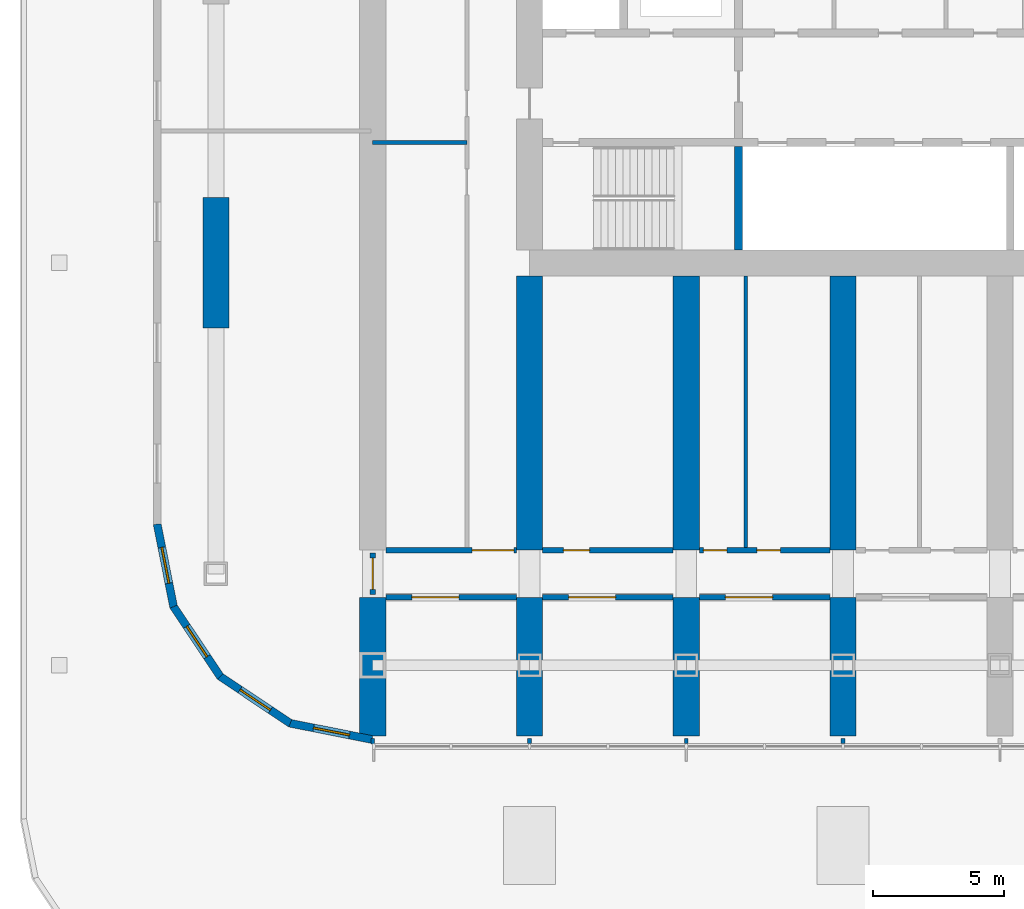
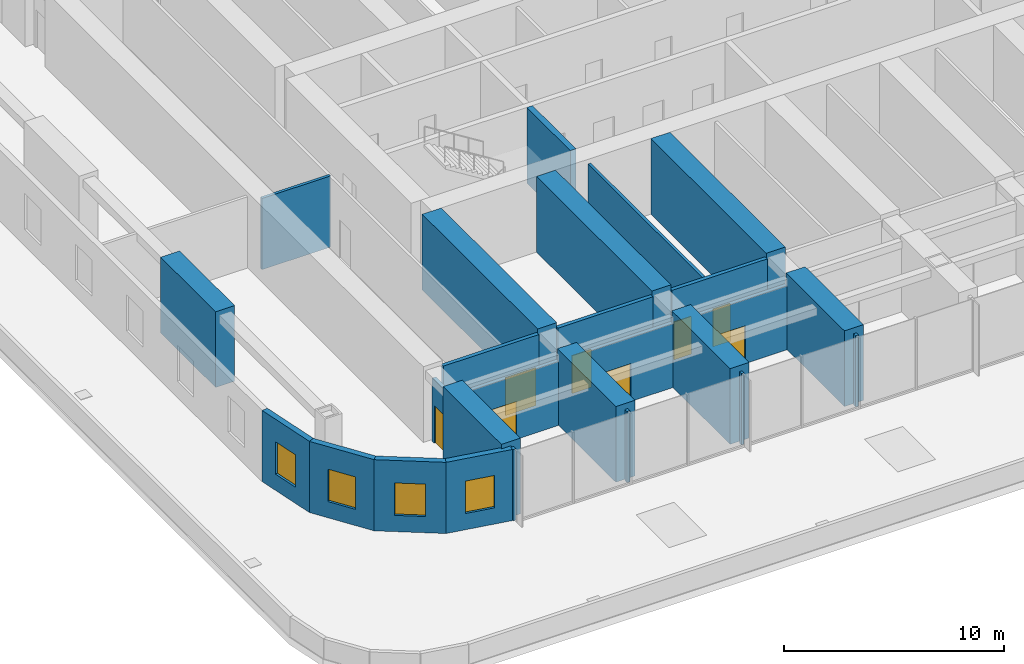
# One storey, part 9 of 23: 26 walls, 8 doors, 4 windows, 12 openings.
"""IFC4 building model written with IfcOpenShell, lengths in metres."""

from ifc_helpers import new_model, si_unit, direction, frame, frame_2d, origin, place, context, subcontext, project, spatial, polyline, rectangle, outline, extrude, material, layer, layer_set, type_object, element, fill, save


model = new_model("IFC4")

# Units and contexts
model_context = context("Model", 3, precision=1e-05, world=origin(), true_north=direction((0.0, 1.0)))
body_context = subcontext(model_context, "Body", "Model", "MODEL_VIEW")
ifc_project = project(units=[si_unit("LENGTHUNIT", "METRE"), si_unit("AREAUNIT", "SQUARE_METRE"), si_unit("VOLUMEUNIT", "CUBIC_METRE"), si_unit("PLANEANGLEUNIT", "RADIAN"), si_unit("MASSUNIT", "GRAM", prefix="KILO")], contexts=[model_context])

# Site, building, storey
site_placement = place(None, origin())
site = spatial("IfcSite", under=ifc_project, at=site_placement, CompositionType="ELEMENT")
building_placement = place(site_placement, origin())
building = spatial("IfcBuilding", under=site, at=building_placement, Name="Orbita Commons", CompositionType="ELEMENT")
storey_placement = place(building_placement, frame((0.0, 0.0, 16.0)))
storey = spatial("IfcBuildingStorey", under=building, at=storey_placement, Name="L03", CompositionType="ELEMENT", Elevation=16.0)

# Wall
ifc_material_1 = material(Name="Concrete C50/60", Category="concrete")
ifc_layer_1 = layer(ifc_material_1, 0.300048828125)
ifc_layer_set_1 = layer_set([ifc_layer_1], Name="Concrete C50/60")
wall_type_1 = type_object("IfcWallType", Name="Core inner wall 300 C50/60", PredefinedType="SHEAR", material=ifc_layer_set_1)
wall_1_placement = place(storey_placement, frame((26.0, 26.300048828125, 0.0), z_axis=(0.0, 0.0, 1.0), x_axis=(0.0, 1.0, 0.0)))
element("IfcWall", 1, at=wall_1_placement, inside=storey, type_object=wall_type_1, Name="Stair S1 wall L03", PredefinedType="SHEAR", context=body_context, shape_type="SweptSolid", body=[
    extrude(rectangle(XDim=3.949951171875, YDim=0.300048828125, at=frame_2d((1.97509765625, 0.0))), origin(), (0.0, 0.0, 1.0), 4.199951171875),
])

# Wall, opening, door
ifc_material_2 = material(Name="Concrete blockwork", Category="masonry")
ifc_layer_2 = layer(ifc_material_2, 0.199951171875)
ifc_layer_set_2 = layer_set([ifc_layer_2], Name="Concrete blockwork")
wall_type_2 = type_object("IfcWallType", Name="Corridor wall 200 blockwork", PredefinedType="SOLIDWALL", material=ifc_layer_set_2)
wall_2_placement = place(storey_placement, frame((12.5, 13.0, 0.0), z_axis=(0.0, 0.0, 1.0), x_axis=(1.0, 0.0, 0.0)))
wall_2 = element("IfcWall", 2, at=wall_2_placement, inside=storey, type_object=wall_type_2, Name="Corridor wall 200 blockwork L03", PredefinedType="SOLIDWALL", context=body_context, shape_type="SweptSolid", body=[
    extrude(outline(polyline([(0.0, 0.0), (5.0, 0.0), (5.0, 3.550048828125), (0.0, 3.550048828125), (0.0, 0.0)])), frame((0.0, 0.10009765625, 0.0), z_axis=(0.0, -1.0, 0.0), x_axis=(1.0, 0.0, 0.0)), (0.0, 0.0, 1.0), 0.199951171875),
])
opening_1_placement = place(wall_2_placement, frame((1.0, 0.0, 0.0)))
opening_1 = element("IfcOpeningElement", 3, at=opening_1_placement, cuts=wall_2, Name="Opening D07", PredefinedType="OPENING", context=body_context, shape_type="SweptSolid", body=[
    extrude(rectangle(XDim=1.800048828125, YDim=2.10009765625, at=frame_2d((0.89990234375, 1.050048828125))), frame((0.0, 0.10986328125, 0.0), z_axis=(0.0, -1.0, 0.0), x_axis=(1.0, 0.0, 0.0)), (0.0, 0.0, 1.0), 0.219970703125),
])
ifc_material_3 = material(Name="Steel-faced fire door leaf", Category="steel")
door_type_1 = type_object("IfcDoorType", Name="Double corridor door 20 min 1800x2100", OperationType="DOUBLE_DOOR_SINGLE_SWING", PredefinedType="DOOR", material=ifc_material_3)
door_1_placement = place(opening_1_placement, origin())
door_1 = element("IfcDoor", 4, at=door_1_placement, inside=storey, type_object=door_type_1, Name="Co-working room L03-SF0 doors", OperationType="DOUBLE_DOOR_SINGLE_SWING", OverallHeight=2.10009765625, OverallWidth=1.800048828125, PredefinedType="DOOR", context=body_context, shape_type="SweptSolid", body=[
    extrude(rectangle(XDim=1.800048828125, YDim=2.10009765625, at=frame_2d((0.89990234375, 1.050048828125))), frame((0.0, 0.02490234375, 0.0), z_axis=(0.0, -1.0, 0.0), x_axis=(1.0, 0.0, 0.0)), (0.0, 0.0, 1.0), 0.050048828125),
])
fill(opening_1, door_1)

wall_3_placement = place(storey_placement, frame((18.5, 13.0, 0.0), z_axis=(0.0, 0.0, 1.0), x_axis=(1.0, 0.0, 0.0)))
wall_3 = element("IfcWall", 5, at=wall_3_placement, inside=storey, type_object=wall_type_2, Name="Corridor wall 200 blockwork L03", PredefinedType="SOLIDWALL", context=body_context, shape_type="SweptSolid", body=[
    extrude(outline(polyline([(0.0, 0.0), (5.0, 0.0), (5.0, 3.550048828125), (0.0, 3.550048828125), (0.0, 0.0)])), frame((0.0, 0.10009765625, 0.0), z_axis=(0.0, -1.0, 0.0), x_axis=(1.0, 0.0, 0.0)), (0.0, 0.0, 1.0), 0.199951171875),
])
opening_2_placement = place(wall_3_placement, frame((1.0, 0.0, 0.0)))
opening_2 = element("IfcOpeningElement", 6, at=opening_2_placement, cuts=wall_3, Name="Opening D07", PredefinedType="OPENING", context=body_context, shape_type="SweptSolid", body=[
    extrude(rectangle(XDim=1.800048828125, YDim=2.10009765625, at=frame_2d((0.89990234375, 1.050048828125))), frame((0.0, 0.10986328125, 0.0), z_axis=(0.0, -1.0, 0.0), x_axis=(1.0, 0.0, 0.0)), (0.0, 0.0, 1.0), 0.219970703125),
])
door_2_placement = place(opening_2_placement, origin())
door_2 = element("IfcDoor", 7, at=door_2_placement, inside=storey, type_object=door_type_1, Name="Residents' kitchen L03-SF1 doors", OperationType="DOUBLE_DOOR_SINGLE_SWING", OverallHeight=2.10009765625, OverallWidth=1.800048828125, PredefinedType="DOOR", context=body_context, shape_type="SweptSolid", body=[
    extrude(rectangle(XDim=1.800048828125, YDim=2.10009765625, at=frame_2d((0.89990234375, 1.050048828125))), frame((0.0, 0.02490234375, 0.0), z_axis=(0.0, -1.0, 0.0), x_axis=(1.0, 0.0, 0.0)), (0.0, 0.0, 1.0), 0.050048828125),
])
fill(opening_2, door_2)

wall_4_placement = place(storey_placement, frame((24.5, 13.0, 0.0), z_axis=(0.0, 0.0, 1.0), x_axis=(1.0, 0.0, 0.0)))
wall_4 = element("IfcWall", 8, at=wall_4_placement, inside=storey, type_object=wall_type_2, Name="Corridor wall 200 blockwork L03", PredefinedType="SOLIDWALL", context=body_context, shape_type="SweptSolid", body=[
    extrude(outline(polyline([(0.0, 0.0), (5.0, 0.0), (5.0, 3.550048828125), (0.0, 3.550048828125), (0.0, 0.0)])), frame((0.0, 0.10009765625, 0.0), z_axis=(0.0, -1.0, 0.0), x_axis=(1.0, 0.0, 0.0)), (0.0, 0.0, 1.0), 0.199951171875),
])
opening_3_placement = place(wall_4_placement, frame((1.0, 0.0, 0.0)))
opening_3 = element("IfcOpeningElement", 9, at=opening_3_placement, cuts=wall_4, Name="Opening D07", PredefinedType="OPENING", context=body_context, shape_type="SweptSolid", body=[
    extrude(rectangle(XDim=1.800048828125, YDim=2.10009765625, at=frame_2d((0.89990234375, 1.050048828125))), frame((0.0, 0.10986328125, 0.0), z_axis=(0.0, -1.0, 0.0), x_axis=(1.0, 0.0, 0.0)), (0.0, 0.0, 1.0), 0.219970703125),
])
door_3_placement = place(opening_3_placement, origin())
door_3 = element("IfcDoor", 10, at=door_3_placement, inside=storey, type_object=door_type_1, Name="Study hall L03-SF2 doors", OperationType="DOUBLE_DOOR_SINGLE_SWING", OverallHeight=2.10009765625, OverallWidth=1.800048828125, PredefinedType="DOOR", context=body_context, shape_type="SweptSolid", body=[
    extrude(rectangle(XDim=1.800048828125, YDim=2.10009765625, at=frame_2d((0.89990234375, 1.050048828125))), frame((0.0, 0.02490234375, 0.0), z_axis=(0.0, -1.0, 0.0), x_axis=(1.0, 0.0, 0.0)), (0.0, 0.0, 1.0), 0.050048828125),
])
fill(opening_3, door_3)

wall_5_placement = place(storey_placement, frame((12.0, 13.10009765625, 0.0), z_axis=(0.0, 0.0, 1.0), x_axis=(0.0, 1.0, 0.0)))
wall_5 = element("IfcWall", 11, at=wall_5_placement, inside=storey, type_object=wall_type_2, Name="Corridor wall 200 blockwork L03", PredefinedType="SOLIDWALL", context=body_context, shape_type="SweptSolid", body=[
    extrude(outline(polyline([(0.0, 0.0), (1.599853515625, 0.0), (1.60009765625, 3.5), (0.0, 3.5), (0.0, 0.0)])), frame((0.0, 0.10009765625, 0.0), z_axis=(0.0, -1.0, 0.0), x_axis=(1.0, 0.0, 0.0)), (0.0, 0.0, 1.0), 0.199951171875),
])
opening_4_placement = place(wall_5_placement, frame((0.199951171875, 0.0, 0.0)))
opening_4 = element("IfcOpeningElement", 12, at=opening_4_placement, cuts=wall_5, Name="Opening D12", PredefinedType="OPENING", context=body_context, shape_type="SweptSolid", body=[
    extrude(rectangle(XDim=1.199951171875, YDim=2.10009765625, at=frame_2d((0.60009765625, 1.050048828125))), frame((0.0, 0.10986328125, 0.0), z_axis=(0.0, -1.0, 0.0), x_axis=(1.0, 0.0, 0.0)), (0.0, 0.0, 1.0), 0.219970703125),
])
ifc_material_4 = material(Name="Steel-faced fire door leaf", Category="steel")
door_type_2 = type_object("IfcDoorType", Name="Double corridor door 20 min 1200x2100", OperationType="DOUBLE_DOOR_SINGLE_SWING", PredefinedType="DOOR", material=ifc_material_4)
door_4_placement = place(opening_4_placement, origin())
door_4 = element("IfcDoor", 13, at=door_4_placement, inside=storey, type_object=door_type_2, Name="Lounge doors", OperationType="DOUBLE_DOOR_SINGLE_SWING", OverallHeight=2.10009765625, OverallWidth=1.199951171875, PredefinedType="DOOR", context=body_context, shape_type="SweptSolid", body=[
    extrude(rectangle(XDim=1.199951171875, YDim=2.10009765625, at=frame_2d((0.60009765625, 1.050048828125))), frame((0.0, 0.02490234375, 0.0), z_axis=(0.0, -1.0, 0.0), x_axis=(1.0, 0.0, 0.0)), (0.0, 0.0, 1.0), 0.050048828125),
])
fill(opening_4, door_4)

ifc_material_5 = material(Name="Hollow concrete block 200", Category="concrete")
ifc_layer_3 = layer(ifc_material_5, 0.199951171875)
ifc_layer_set_3 = layer_set([ifc_layer_3], Name="Hollow concrete block 200")
wall_type_3 = type_object("IfcWallType", Name="Corridor wall 200 hollow concrete block", PredefinedType="SOLIDWALL", material=ifc_layer_set_3)
wall_6_placement = place(storey_placement, frame((12.5, 14.800048828125, 0.0), z_axis=(0.0, 0.0, 1.0), x_axis=(1.0, 0.0, 0.0)))
wall_6 = element("IfcWall", 14, at=wall_6_placement, inside=storey, type_object=wall_type_3, Name="Corridor wall 200 hollow concrete block L03", PredefinedType="SOLIDWALL", context=body_context, shape_type="SweptSolid", body=[
    extrude(rectangle(XDim=5.0, YDim=0.199951171875, at=frame_2d((2.5, 0.0))), origin(), (0.0, 0.0, 1.0), 3.949951171875),
])
opening_5_placement = place(wall_6_placement, frame((3.300048828125, 0.0, 0.0)))
opening_5 = element("IfcOpeningElement", 15, at=opening_5_placement, cuts=wall_6, Name="Opening D10", PredefinedType="OPENING", context=body_context, shape_type="SweptSolid", body=[
    extrude(rectangle(XDim=1.60009765625, YDim=2.10009765625, at=frame_2d((0.800048828125, 1.050048828125))), frame((0.0, 0.10986328125, 0.0), z_axis=(0.0, -1.0, 0.0), x_axis=(1.0, 0.0, 0.0)), (0.0, 0.0, 1.0), 0.219970703125),
])
ifc_material_6 = material(Name="Steel-faced fire door leaf", Category="steel")
door_type_3 = type_object("IfcDoorType", Name="Double corridor door 20 min 1600x2100", OperationType="DOUBLE_DOOR_SINGLE_SWING", PredefinedType="DOOR", material=ifc_material_6)
door_5_placement = place(opening_5_placement, origin())
door_5 = element("IfcDoor", 16, at=door_5_placement, inside=storey, type_object=door_type_3, Name="Cross corridor doors", OperationType="DOUBLE_DOOR_SINGLE_SWING", OverallHeight=2.10009765625, OverallWidth=1.60009765625, PredefinedType="DOOR", context=body_context, shape_type="SweptSolid", body=[
    extrude(rectangle(XDim=1.60009765625, YDim=2.10009765625, at=frame_2d((0.800048828125, 1.050048828125))), frame((0.0, 0.02490234375, 0.0), z_axis=(0.0, -1.0, 0.0), x_axis=(1.0, 0.0, 0.0)), (0.0, 0.0, 1.0), 0.050048828125),
])
fill(opening_5, door_5)

wall_7_placement = place(storey_placement, frame((18.5, 14.800048828125, 0.0), z_axis=(0.0, 0.0, 1.0), x_axis=(1.0, 0.0, 0.0)))
wall_7 = element("IfcWall", 17, at=wall_7_placement, inside=storey, type_object=wall_type_3, Name="Corridor wall 200 hollow concrete block L03", PredefinedType="SOLIDWALL", context=body_context, shape_type="SweptSolid", body=[
    extrude(rectangle(XDim=5.0, YDim=0.199951171875, at=frame_2d((2.5, 0.0))), origin(), (0.0, 0.0, 1.0), 3.949951171875),
])
opening_6_placement = place(wall_7_placement, frame((0.800048828125, 0.0, 0.0)))
opening_6 = element("IfcOpeningElement", 18, at=opening_6_placement, cuts=wall_7, Name="Opening D06", PredefinedType="OPENING", context=body_context, shape_type="SweptSolid", body=[
    extrude(rectangle(XDim=1.0, YDim=2.10009765625, at=frame_2d((0.5, 1.050048828125))), frame((0.0, 0.10986328125, 0.0), z_axis=(0.0, -1.0, 0.0), x_axis=(1.0, 0.0, 0.0)), (0.0, 0.0, 1.0), 0.219970703125),
])
ifc_material_7 = material(Name="Steel-faced fire door leaf", Category="steel")
door_type_4 = type_object("IfcDoorType", Name="Corridor door 20 min 1000x2100", OperationType="SINGLE_SWING_LEFT", PredefinedType="DOOR", material=ifc_material_7)
door_6_placement = place(opening_6_placement, origin())
door_6 = element("IfcDoor", 19, at=door_6_placement, inside=storey, type_object=door_type_4, Name="Electrical and data room L03-BDS18 door", OperationType="SINGLE_SWING_LEFT", OverallHeight=2.10009765625, OverallWidth=1.0, PredefinedType="DOOR", context=body_context, shape_type="SweptSolid", body=[
    extrude(rectangle(XDim=1.0, YDim=2.10009765625, at=frame_2d((0.5, 1.050048828125))), frame((0.0, 0.02490234375, 0.0), z_axis=(0.0, -1.0, 0.0), x_axis=(1.0, 0.0, 0.0)), (0.0, 0.0, 1.0), 0.050048828125),
])
fill(opening_6, door_6)

# Wall, openings, doors
wall_8_placement = place(storey_placement, frame((24.5, 14.800048828125, 0.0), z_axis=(0.0, 0.0, 1.0), x_axis=(1.0, 0.0, 0.0)))
wall_8 = element("IfcWall", 20, at=wall_8_placement, inside=storey, type_object=wall_type_3, Name="Corridor wall 200 hollow concrete block L03", PredefinedType="SOLIDWALL", context=body_context, shape_type="SweptSolid", body=[
    extrude(rectangle(XDim=5.0, YDim=0.199951171875, at=frame_2d((2.5, 0.0))), origin(), (0.0, 0.0, 1.0), 3.949951171875),
])
opening_7_placement = place(wall_8_placement, frame((0.14990234375, 0.0, 0.0)))
opening_7 = element("IfcOpeningElement", 21, at=opening_7_placement, cuts=wall_8, Name="Opening D11", PredefinedType="OPENING", context=body_context, shape_type="SweptSolid", body=[
    extrude(rectangle(XDim=0.89990234375, YDim=2.10009765625, at=frame_2d((0.449951171875, 1.050048828125))), frame((0.0, 0.10986328125, 0.0), z_axis=(0.0, -1.0, 0.0), x_axis=(1.0, 0.0, 0.0)), (0.0, 0.0, 1.0), 0.219970703125),
])
opening_8_placement = place(wall_8_placement, frame((2.199951171875, 0.0, 0.0)))
opening_8 = element("IfcOpeningElement", 22, at=opening_8_placement, cuts=wall_8, Name="Opening D11", PredefinedType="OPENING", context=body_context, shape_type="SweptSolid", body=[
    extrude(rectangle(XDim=0.89990234375, YDim=2.10009765625, at=frame_2d((0.449951171875, 1.050048828125))), frame((0.0, 0.10986328125, 0.0), z_axis=(0.0, -1.0, 0.0), x_axis=(1.0, 0.0, 0.0)), (0.0, 0.0, 1.0), 0.219970703125),
])
ifc_material_8 = material(Name="Steel-faced fire door leaf", Category="steel")
door_type_5 = type_object("IfcDoorType", Name="Corridor door 20 min 900x2100", OperationType="SINGLE_SWING_LEFT", PredefinedType="DOOR", material=ifc_material_8)
door_7_placement = place(opening_7_placement, origin())
door_7 = element("IfcDoor", 23, at=door_7_placement, inside=storey, type_object=door_type_5, Name="Accessible WC and shower room L03-BDS24n door", OperationType="SINGLE_SWING_LEFT", OverallHeight=2.10009765625, OverallWidth=0.89990234375, PredefinedType="DOOR", context=body_context, shape_type="SweptSolid", body=[
    extrude(rectangle(XDim=0.89990234375, YDim=2.10009765625, at=frame_2d((0.449951171875, 1.050048828125))), frame((0.0, 0.02490234375, 0.0), z_axis=(0.0, -1.0, 0.0), x_axis=(1.0, 0.0, 0.0)), (0.0, 0.0, 1.0), 0.050048828125),
])
fill(opening_7, door_7)
door_8_placement = place(opening_8_placement, origin())
door_8 = element("IfcDoor", 24, at=door_8_placement, inside=storey, type_object=door_type_5, Name="Games room L03-BDS24 door", OperationType="SINGLE_SWING_LEFT", OverallHeight=2.10009765625, OverallWidth=0.89990234375, PredefinedType="DOOR", context=body_context, shape_type="SweptSolid", body=[
    extrude(rectangle(XDim=0.89990234375, YDim=2.10009765625, at=frame_2d((0.449951171875, 1.050048828125))), frame((0.0, 0.02490234375, 0.0), z_axis=(0.0, -1.0, 0.0), x_axis=(1.0, 0.0, 0.0)), (0.0, 0.0, 1.0), 0.050048828125),
])
fill(opening_8, door_8)

# Walls
ifc_material_9 = material(Name="Concrete C50/60", Category="concrete")
ifc_layer_4 = layer(ifc_material_9, 1.0)
ifc_layer_set_4 = layer_set([ifc_layer_4], Name="Concrete C50/60")
wall_type_4 = type_object("IfcWallType", Name="Cross wall 1000 C50/60", PredefinedType="SHEAR", material=ifc_layer_set_4)
for number, where, z_axis, x_axis, name in (
    (25, (12.0, 7.699951171875, 0.0), (0.0, 0.0, 1.0), (0.0, 1.0, 0.0), "Cross wall 3 south outer L03"),
    (26, (18.0, 7.699951171875, 0.0), (0.0, 0.0, 1.0), (0.0, 1.0, 0.0), "Cross wall 4 south outer L03"),
):
    element("IfcWall", number, at=place(storey_placement, frame(where, z_axis=z_axis, x_axis=x_axis)), inside=storey, type_object=wall_type_4, Name=name, PredefinedType="SHEAR", context=body_context, shape_type="SweptSolid", body=[
        extrude(rectangle(XDim=5.300048828125, YDim=1.0, at=frame_2d((2.64990234375, 0.0))), origin(), (0.0, 0.0, 1.0), 4.199951171875),
    ])
wall_9_placement = place(storey_placement, frame((18.0, 14.800048828125, 0.0), z_axis=(0.0, 0.0, 1.0), x_axis=(0.0, 1.0, 0.0)))
element("IfcWall", 27, at=wall_9_placement, inside=storey, type_object=wall_type_4, Name="Cross wall 4 south inner L03", PredefinedType="SHEAR", context=body_context, shape_type="SweptSolid", body=[
    extrude(rectangle(XDim=10.5, YDim=1.0, at=frame_2d((5.25, 0.0))), origin(), (0.0, 0.0, 1.0), 4.199951171875),
])
wall_10_placement = place(storey_placement, frame((24.0, 7.699951171875, 0.0), z_axis=(0.0, 0.0, 1.0), x_axis=(0.0, 1.0, 0.0)))
element("IfcWall", 28, at=wall_10_placement, inside=storey, type_object=wall_type_4, Name="Cross wall 5 south outer L03", PredefinedType="SHEAR", context=body_context, shape_type="SweptSolid", body=[
    extrude(rectangle(XDim=5.300048828125, YDim=1.0, at=frame_2d((2.64990234375, 0.0))), origin(), (0.0, 0.0, 1.0), 4.199951171875),
])
wall_11_placement = place(storey_placement, frame((24.0, 14.800048828125, 0.0), z_axis=(0.0, 0.0, 1.0), x_axis=(0.0, 1.0, 0.0)))
element("IfcWall", 29, at=wall_11_placement, inside=storey, type_object=wall_type_4, Name="Cross wall 5 south inner L03", PredefinedType="SHEAR", context=body_context, shape_type="SweptSolid", body=[
    extrude(rectangle(XDim=10.5, YDim=1.0, at=frame_2d((5.25, 0.0))), origin(), (0.0, 0.0, 1.0), 4.199951171875),
])
wall_12_placement = place(storey_placement, frame((30.0, 7.699951171875, 0.0), z_axis=(0.0, 0.0, 1.0), x_axis=(0.0, 1.0, 0.0)))
element("IfcWall", 30, at=wall_12_placement, inside=storey, type_object=wall_type_4, Name="Cross wall 6 south outer L03", PredefinedType="SHEAR", context=body_context, shape_type="SweptSolid", body=[
    extrude(rectangle(XDim=5.300048828125, YDim=1.0, at=frame_2d((2.64990234375, 0.0))), origin(), (0.0, 0.0, 1.0), 4.199951171875),
])
wall_13_placement = place(storey_placement, frame((30.0, 14.800048828125, 0.0), z_axis=(0.0, 0.0, 1.0), x_axis=(0.0, 1.0, 0.0)))
element("IfcWall", 31, at=wall_13_placement, inside=storey, type_object=wall_type_4, Name="Cross wall 6 south inner L03", PredefinedType="SHEAR", context=body_context, shape_type="SweptSolid", body=[
    extrude(rectangle(XDim=10.5, YDim=1.0, at=frame_2d((5.25, 0.0))), origin(), (0.0, 0.0, 1.0), 4.199951171875),
])
ifc_material_10 = material(Name="Concrete C50/60", Category="concrete")
ifc_layer_5 = layer(ifc_material_10, 1.0)
ifc_layer_set_5 = layer_set([ifc_layer_5], Name="Concrete C50/60")
wall_type_5 = type_object("IfcWallType", Name="End pier 1000x5000 C50/60", PredefinedType="SHEAR", material=ifc_layer_set_5)
wall_14_placement = place(storey_placement, frame((6.0, 23.300048828125, 0.0), z_axis=(0.0, 0.0, 1.0), x_axis=(0.0, 1.0, 0.0)))
element("IfcWall", 32, at=wall_14_placement, inside=storey, type_object=wall_type_5, Name="End pier 2/C L03", PredefinedType="SHEAR", context=body_context, shape_type="SweptSolid", body=[
    extrude(rectangle(XDim=5.0, YDim=1.0, at=frame_2d((2.5, 0.0))), origin(), (0.0, 0.0, 1.0), 4.199951171875),
])
ifc_material_11 = material(Name="Gypsum plasterboard on steel studs", Category="steel")
ifc_layer_6 = layer(ifc_material_11, 0.14990234375)
ifc_layer_set_6 = layer_set([ifc_layer_6], Name="Gypsum plasterboard on steel studs")
wall_type_6 = type_object("IfcWallType", Name="Partition 150 plasterboard", PredefinedType="PARTITIONING", material=ifc_layer_set_6)
wall_15_placement = place(storey_placement, frame((26.27490234375, 14.89990234375, 0.0), z_axis=(0.0, 0.0, 1.0), x_axis=(0.0, 1.0, 0.0)))
element("IfcWall", 33, at=wall_15_placement, inside=storey, type_object=wall_type_6, Name="Partition 150 plasterboard L03", PredefinedType="PARTITIONING", context=body_context, shape_type="SweptSolid", body=[
    extrude(rectangle(XDim=10.400146484375, YDim=0.14990234375, at=frame_2d((5.2001953125, 0.0))), origin(), (0.0, 0.0, 1.0), 3.949951171875),
])
wall_16_placement = place(storey_placement, frame((12.0, 30.39990234375, 0.0), z_axis=(0.0, 0.0, 1.0), x_axis=(1.0, 0.0, 0.0)))
element("IfcWall", 34, at=wall_16_placement, inside=storey, type_object=wall_type_6, Name="Partition 150 plasterboard L03", PredefinedType="PARTITIONING", context=body_context, shape_type="SweptSolid", body=[
    extrude(rectangle(XDim=3.60009765625, YDim=0.14990234375, at=frame_2d((1.800048828125, 0.0))), origin(), (0.0, 0.0, 1.0), 3.949951171875),
])
wall_17_placement = place(storey_placement, frame((12.0, 7.60009765625, 0.0), z_axis=(0.0, 0.0, 1.0), x_axis=(0.0, -1.0, 0.0)))
element("IfcWall", 35, at=wall_17_placement, inside=storey, type_object=wall_type_6, Name="Partition 150 plasterboard L03", PredefinedType="PARTITIONING", context=body_context, shape_type="SweptSolid", body=[
    extrude(rectangle(XDim=0.22021484375, YDim=0.14990234375, at=frame_2d((0.110107421875, 0.0))), origin(), (0.0, 0.0, 1.0), 3.949951171875),
])
for number, where, z_axis, x_axis, name in (
    (36, (18.0, 7.60009765625, 0.0), (0.0, 0.0, 1.0), (0.0, -1.0, 0.0), "Partition 150 plasterboard L03"),
    (37, (24.0, 7.60009765625, 0.0), (0.0, 0.0, 1.0), (0.0, -1.0, 0.0), "Partition 150 plasterboard L03"),
    (38, (30.0, 7.60009765625, 0.0), (0.0, 0.0, 1.0), (0.0, -1.0, 0.0), "Partition 150 plasterboard L03"),
):
    element("IfcWall", number, at=place(storey_placement, frame(where, z_axis=z_axis, x_axis=x_axis)), inside=storey, type_object=wall_type_6, Name=name, PredefinedType="PARTITIONING", context=body_context, shape_type="SweptSolid", body=[
        extrude(rectangle(XDim=0.190185546875, YDim=0.14990234375, at=frame_2d((0.09521484375, 0.0))), origin(), (0.0, 0.0, 1.0), 3.949951171875),
    ])

# Wall, opening, window
ifc_material_12 = material(Name="Precast concrete C40/50, white board-marked finish", Category="concrete")
ifc_layer_7 = layer(ifc_material_12, 0.300048828125)
ifc_layer_set_7 = layer_set([ifc_layer_7], Name="Precast concrete C40/50, white board-marked finish")
wall_type_7 = type_object("IfcWallType", Name="Precast concrete end shield 300", PredefinedType="SOLIDWALL", material=ifc_layer_set_7)
wall_18_placement = place(storey_placement, frame((3.75, 15.800048828125, 0.0), z_axis=(0.0, 0.0, 1.0), x_axis=(0.195065901187, -0.980790137692, 0.0)))
wall_18 = element("IfcWall", 39, at=wall_18_placement, inside=storey, type_object=wall_type_7, Name="End shield SW chord 1 L03", PredefinedType="SOLIDWALL", context=body_context, shape_type="SweptSolid", body=[
    extrude(outline(polyline([(-0.014892578125, -0.14990234375), (3.248779296875, -0.14990234375), (3.189208984375, 0.14990234375), (0.014892578125, 0.14990234375), (-0.014892578125, -0.14990234375)])), origin(), (0.0, 0.0, 1.0), 3.949951171875),
])
opening_9_placement = place(wall_18_placement, frame((0.909423828125, 0.0, 0.89990234375)))
opening_9 = element("IfcOpeningElement", 40, at=opening_9_placement, cuts=wall_18, Name="Opening W02", PredefinedType="OPENING", context=body_context, shape_type="SweptSolid", body=[
    extrude(rectangle(XDim=1.39990234375, YDim=1.800048828125, at=frame_2d((0.699951171875, 0.89990234375))), frame((0.0, 0.159912109375, 0.0), z_axis=(0.0, -1.0, 0.0), x_axis=(1.0, 0.0, 0.0)), (0.0, 0.0, 1.0), 0.320068359375),
])
ifc_material_13 = material(Name="Aluminium frame, clear double glazing", Category="aluminium")
window_type = type_object("IfcWindowType", Name="Deep-set window 1400x1800", PartitioningType="SINGLE_PANEL", PredefinedType="WINDOW", material=ifc_material_13)
window_1_placement = place(opening_9_placement, origin())
window_1 = element("IfcWindow", 41, at=window_1_placement, inside=storey, type_object=window_type, Name="Window L03-SW0", OverallHeight=1.800048828125, OverallWidth=1.39990234375, PartitioningType="SINGLE_PANEL", PredefinedType="WINDOW", context=body_context, shape_type="SweptSolid", body=[
    extrude(rectangle(XDim=1.39990234375, YDim=1.800048828125, at=frame_2d((0.699951171875, 0.89990234375))), frame((0.0, 0.030029296875, 0.0), z_axis=(0.0, -1.0, 0.0), x_axis=(1.0, 0.0, 0.0)), (0.0, 0.0, 1.0), 0.06005859375),
])
fill(opening_9, window_1)

wall_19_placement = place(storey_placement, frame((4.3779296875, 12.642822265625, 0.0), z_axis=(0.0, 0.0, 1.0), x_axis=(0.555609954424, -0.831443069936, 0.0)))
wall_19 = element("IfcWall", 42, at=wall_19_placement, inside=storey, type_object=wall_type_7, Name="End shield SW chord 2 L03", PredefinedType="SOLIDWALL", context=body_context, shape_type="SweptSolid", body=[
    extrude(outline(polyline([(-0.02978515625, -0.14990234375), (3.2490234375, -0.14990234375), (3.189453125, 0.14990234375), (0.02978515625, 0.14990234375), (-0.02978515625, -0.14990234375)])), origin(), (0.0, 0.0, 1.0), 3.949951171875),
])
opening_10_placement = place(wall_19_placement, frame((0.909423828125, 0.0, 0.89990234375)))
opening_10 = element("IfcOpeningElement", 43, at=opening_10_placement, cuts=wall_19, Name="Opening W02", PredefinedType="OPENING", context=body_context, shape_type="SweptSolid", body=[
    extrude(rectangle(XDim=1.39990234375, YDim=1.800048828125, at=frame_2d((0.699951171875, 0.89990234375))), frame((0.0, 0.159912109375, 0.0), z_axis=(0.0, -1.0, 0.0), x_axis=(1.0, 0.0, 0.0)), (0.0, 0.0, 1.0), 0.320068359375),
])
window_2_placement = place(opening_10_placement, origin())
window_2 = element("IfcWindow", 44, at=window_2_placement, inside=storey, type_object=window_type, Name="Window L03-SW1", OverallHeight=1.800048828125, OverallWidth=1.39990234375, PartitioningType="SINGLE_PANEL", PredefinedType="WINDOW", context=body_context, shape_type="SweptSolid", body=[
    extrude(rectangle(XDim=1.39990234375, YDim=1.800048828125, at=frame_2d((0.699951171875, 0.89990234375))), frame((0.0, 0.030029296875, 0.0), z_axis=(0.0, -1.0, 0.0), x_axis=(1.0, 0.0, 0.0)), (0.0, 0.0, 1.0), 0.06005859375),
])
fill(opening_10, window_2)

wall_20_placement = place(storey_placement, frame((6.16650390625, 9.96630859375, 0.0), z_axis=(0.0, 0.0, 1.0), x_axis=(0.831478105043, -0.555557522525, 0.0)))
wall_20 = element("IfcWall", 45, at=wall_20_placement, inside=storey, type_object=wall_type_7, Name="End shield SW chord 3 L03", PredefinedType="SOLIDWALL", context=body_context, shape_type="SweptSolid", body=[
    extrude(outline(polyline([(-0.02978515625, -0.14990234375), (3.248779296875, -0.14990234375), (3.189208984375, 0.14990234375), (0.02978515625, 0.14990234375), (-0.02978515625, -0.14990234375)])), origin(), (0.0, 0.0, 1.0), 3.949951171875),
])
opening_11_placement = place(wall_20_placement, frame((0.909423828125, 0.0, 0.89990234375)))
opening_11 = element("IfcOpeningElement", 46, at=opening_11_placement, cuts=wall_20, Name="Opening W02", PredefinedType="OPENING", context=body_context, shape_type="SweptSolid", body=[
    extrude(rectangle(XDim=1.39990234375, YDim=1.800048828125, at=frame_2d((0.699951171875, 0.89990234375))), frame((0.0, 0.159912109375, 0.0), z_axis=(0.0, -1.0, 0.0), x_axis=(1.0, 0.0, 0.0)), (0.0, 0.0, 1.0), 0.320068359375),
])
window_3_placement = place(opening_11_placement, origin())
window_3 = element("IfcWindow", 47, at=window_3_placement, inside=storey, type_object=window_type, Name="Window L03-SW2", OverallHeight=1.800048828125, OverallWidth=1.39990234375, PartitioningType="SINGLE_PANEL", PredefinedType="WINDOW", context=body_context, shape_type="SweptSolid", body=[
    extrude(rectangle(XDim=1.39990234375, YDim=1.800048828125, at=frame_2d((0.699951171875, 0.89990234375))), frame((0.0, 0.030029296875, 0.0), z_axis=(0.0, -1.0, 0.0), x_axis=(1.0, 0.0, 0.0)), (0.0, 0.0, 1.0), 0.06005859375),
])
fill(opening_11, window_3)

wall_21_placement = place(storey_placement, frame((8.843017578125, 8.177978515625, 0.0), z_axis=(0.0, 0.0, 1.0), x_axis=(0.980787251524, -0.195080412259, 0.0)))
wall_21 = element("IfcWall", 48, at=wall_21_placement, inside=storey, type_object=wall_type_7, Name="End shield SW chord 4 L03", PredefinedType="SOLIDWALL", context=body_context, shape_type="SweptSolid", body=[
    extrude(outline(polyline([(-0.02978515625, -0.14990234375), (3.24853515625, -0.14990234375), (3.18896484375, 0.14990234375), (0.02978515625, 0.14990234375), (-0.02978515625, -0.14990234375)])), origin(), (0.0, 0.0, 1.0), 3.949951171875),
])
opening_12_placement = place(wall_21_placement, frame((0.909423828125, 0.0, 0.89990234375)))
opening_12 = element("IfcOpeningElement", 49, at=opening_12_placement, cuts=wall_21, Name="Opening W02", PredefinedType="OPENING", context=body_context, shape_type="SweptSolid", body=[
    extrude(rectangle(XDim=1.39990234375, YDim=1.800048828125, at=frame_2d((0.699951171875, 0.89990234375))), frame((0.0, 0.159912109375, 0.0), z_axis=(0.0, -1.0, 0.0), x_axis=(1.0, 0.0, 0.0)), (0.0, 0.0, 1.0), 0.320068359375),
])
window_4_placement = place(opening_12_placement, origin())
window_4 = element("IfcWindow", 50, at=window_4_placement, inside=storey, type_object=window_type, Name="Window L03-SW3", OverallHeight=1.800048828125, OverallWidth=1.39990234375, PartitioningType="SINGLE_PANEL", PredefinedType="WINDOW", context=body_context, shape_type="SweptSolid", body=[
    extrude(rectangle(XDim=1.39990234375, YDim=1.800048828125, at=frame_2d((0.699951171875, 0.89990234375))), frame((0.0, 0.030029296875, 0.0), z_axis=(0.0, -1.0, 0.0), x_axis=(1.0, 0.0, 0.0)), (0.0, 0.0, 1.0), 0.06005859375),
])
fill(opening_12, window_4)

save(model, "model.ifc")
